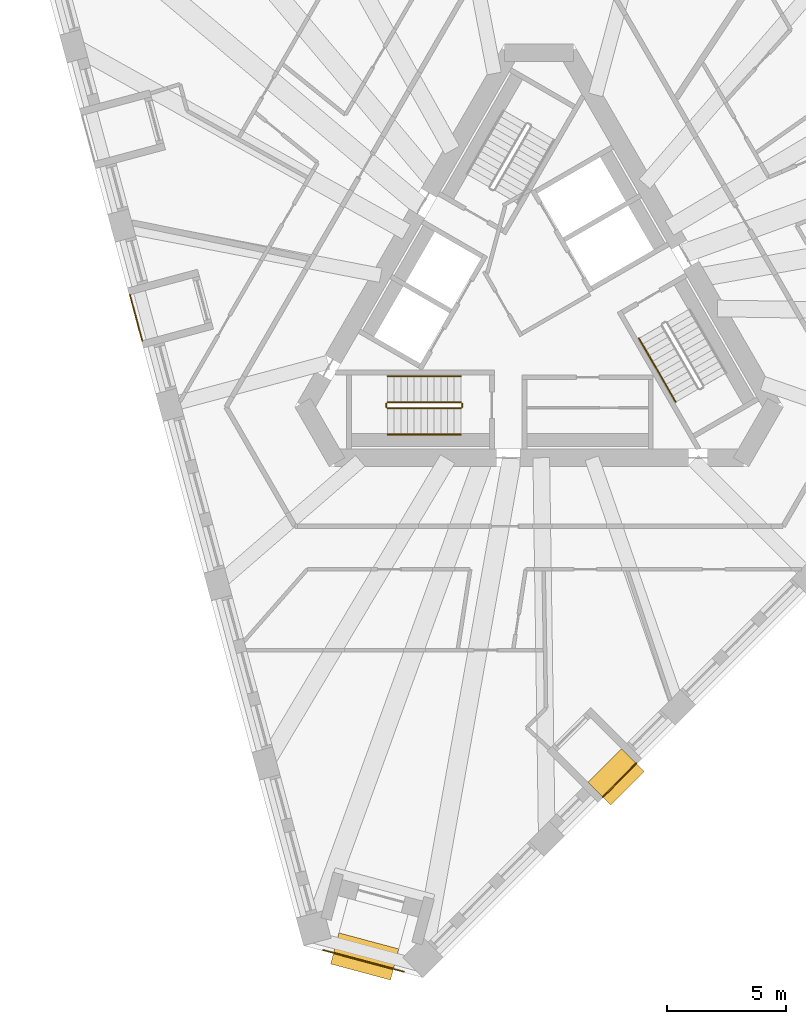
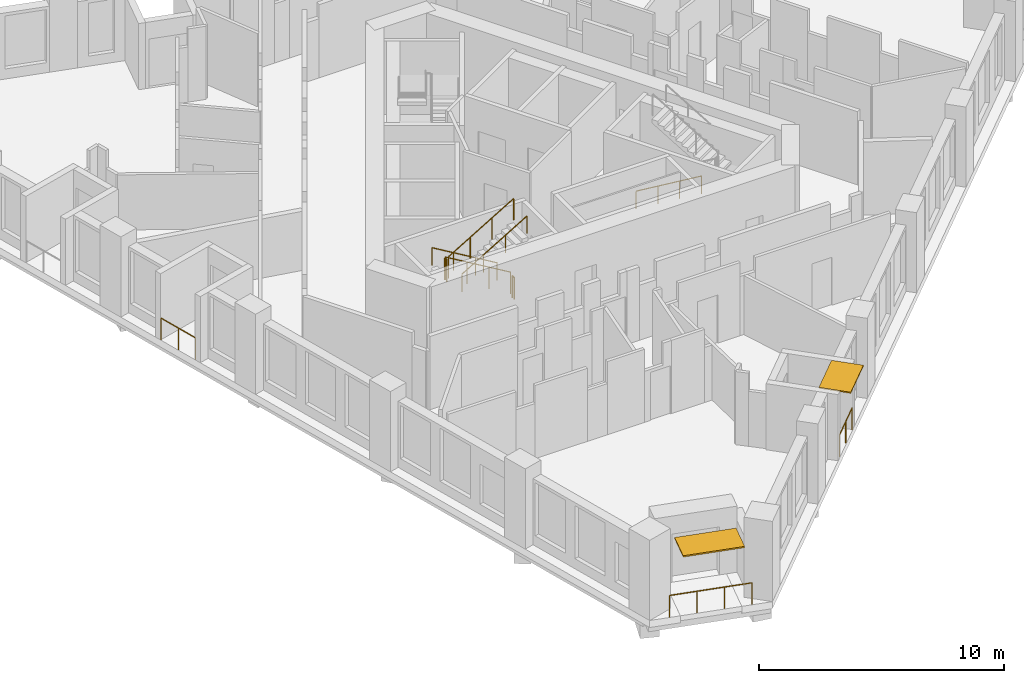
# One storey, part 10 of 13: 10 railings, 2 shading devices.
"""IFC4 building model written with IfcOpenShell, lengths in metres."""

from ifc_helpers import new_model, si_unit, direction, frame, origin, origin_2d, place, context, subcontext, project, spatial, rectangle, circle, extrude, material, layer, layer_set, type_object, element, save


model = new_model("IFC4")

# Units and contexts
model_context = context("Model", 3, precision=1e-05, world=origin(), true_north=direction((0.0, 1.0)))
body_context = subcontext(model_context, "Body", "Model", "MODEL_VIEW")
ifc_project = project(units=[si_unit("LENGTHUNIT", "METRE"), si_unit("AREAUNIT", "SQUARE_METRE"), si_unit("VOLUMEUNIT", "CUBIC_METRE"), si_unit("PLANEANGLEUNIT", "RADIAN"), si_unit("MASSUNIT", "GRAM", prefix="KILO")], contexts=[model_context])

# Site, building, storey
site_placement = place(None, origin())
site = spatial("IfcSite", under=ifc_project, at=site_placement, CompositionType="ELEMENT")
building_placement = place(site_placement, origin())
building = spatial("IfcBuilding", under=site, at=building_placement, Name="Tramontana Tower", CompositionType="ELEMENT")
storey_placement = place(building_placement, frame((0.0, 0.0, 228.0)))
storey = spatial("IfcBuildingStorey", under=building, at=storey_placement, Name="L53", CompositionType="ELEMENT", Elevation=228.0)

# Railings
ifc_material_1 = material(Name="Laminated glass balustrade", Category="glass")
railing_type_1 = type_object("IfcRailingType", Name="GD1 Loggia glass balustrade 1100", PredefinedType="BALUSTRADE", material=ifc_material_1)
railing_1_placement = place(storey_placement, frame((-17.176025390625, 0.466552734375, 0.0)))
element("IfcRailing", 1, at=railing_1_placement, inside=storey, type_object=railing_type_1, Name="Loggia balustrade L53 G5S0.7", PredefinedType="BALUSTRADE", context=body_context, shape_type="SweptSolid", body=[
    extrude(circle(Radius=0.02392578125, at=origin_2d()), frame((0.0, 0.0, 1.076171875), z_axis=(0.258803270362, -0.96593005298, 0.0), x_axis=(0.96593005298, 0.258803270362, 0.0)), (0.0, 0.0, 1.0), 1.998046875),
    extrude(circle(Radius=0.02099609375, at=origin_2d()), origin(), (0.0, 0.0, 1.0), 1.052001953125),
    extrude(circle(Radius=0.02099609375, at=origin_2d()), frame((0.258544921875, -0.96484375, 0.0)), (0.0, 0.0, 1.0), 1.052001953125),
    extrude(circle(Radius=0.02099609375, at=origin_2d()), frame((0.51708984375, -1.929931640625, 0.0)), (0.0, 0.0, 1.0), 1.052001953125),
])
railing_2_placement = place(storey_placement, frame((2.672607421875, -20.619384765625, 0.0)))
element("IfcRailing", 2, at=railing_2_placement, inside=storey, type_object=railing_type_1, Name="Loggia balustrade L53 G5S1.4", PredefinedType="BALUSTRADE", context=body_context, shape_type="SweptSolid", body=[
    extrude(circle(Radius=0.02392578125, at=origin_2d()), frame((0.0, 0.0, 1.076171875), z_axis=(0.707106781187, 0.707106781187, 0.0), x_axis=(-0.707106781187, 0.707106781187, 0.0)), (0.0, 0.0, 1.0), 1.998046875),
    extrude(circle(Radius=0.02099609375, at=origin_2d()), origin(), (0.0, 0.0, 1.0), 1.052001953125),
    extrude(circle(Radius=0.02099609375, at=origin_2d()), frame((0.70654296875, 0.70654296875, 0.0)), (0.0, 0.0, 1.0), 1.052001953125),
    extrude(circle(Radius=0.02099609375, at=origin_2d()), frame((1.412841796875, 1.412841796875, 0.0)), (0.0, 0.0, 1.0), 1.052001953125),
])
railing_3_placement = place(storey_placement, frame((-5.67822265625, -27.952880859375, 0.0)))
element("IfcRailing", 3, at=railing_3_placement, inside=storey, type_object=railing_type_1, Name="Corner loggia balustrade L53 K51", PredefinedType="BALUSTRADE", context=body_context, shape_type="SweptSolid", body=[
    extrude(circle(Radius=0.02392578125, at=origin_2d()), frame((0.0, 0.0, 1.076171875), z_axis=(-0.965913486506, 0.258865093408, 0.0), x_axis=(-0.258865093408, -0.965913486506, 0.0)), (0.0, 0.0, 1.0), 3.5),
    extrude(circle(Radius=0.02099609375, at=origin_2d()), origin(), (0.0, 0.0, 1.0), 1.052001953125),
    extrude(circle(Radius=0.02099609375, at=origin_2d()), frame((-1.126953125, 0.302001953125, 0.0)), (0.0, 0.0, 1.0), 1.052001953125),
    extrude(circle(Radius=0.02099609375, at=origin_2d()), frame((-2.253662109375, 0.60400390625, 0.0)), (0.0, 0.0, 1.0), 1.052001953125),
    extrude(circle(Radius=0.02099609375, at=origin_2d()), frame((-3.380615234375, 0.906005859375, 0.0)), (0.0, 0.0, 1.0), 1.052001953125),
])

# Shading devices
ifc_material_2 = material(Name="Precast concrete 60 MPa", Category="concrete")
ifc_layer_1 = layer(ifc_material_2, 0.06005859375)
ifc_layer_set_1 = layer_set([ifc_layer_1], Name="SS1 Stone sunshade blade 60")
shading_device_type_1 = type_object("IfcShadingDeviceType", Name="SS1 Stone sunshade blade 60", PredefinedType="USERDEFINED", material=ifc_layer_set_1)
shading_device_1_placement = place(storey_placement, frame((3.2412109375, -19.775146484375, 3.239990234375), z_axis=(0.0, 0.0, 1.0), x_axis=(0.707106781187, 0.707106781187, 0.0)))
element("IfcShadingDevice", 4, at=shading_device_1_placement, inside=storey, type_object=shading_device_type_1, Name="Sunshade L53 G5S1.4", ObjectType="SUNSHADE", PredefinedType="USERDEFINED", context=body_context, shape_type="SweptSolid", body=[
    extrude(rectangle(XDim=1.998046875, YDim=1.35009765625, at=origin_2d()), origin(), (0.0, 0.0, 1.0), 0.06005859375),
])
ifc_material_3 = material(Name="Precast concrete 60 MPa", Category="concrete")
ifc_layer_2 = layer(ifc_material_3, 0.070068359375)
ifc_layer_set_2 = layer_set([ifc_layer_2], Name="SS2 Stone sunshade blade 70")
shading_device_type_2 = type_object("IfcShadingDeviceType", Name="SS2 Stone sunshade blade 70", PredefinedType="USERDEFINED", material=ifc_layer_set_2)
shading_device_2_placement = place(storey_placement, frame((-7.318115234375, -27.3115234375, 3.22998046875), z_axis=(0.0, 0.0, 1.0), x_axis=(-0.965925826289, 0.258819045103, 0.0)))
element("IfcShadingDevice", 5, at=shading_device_2_placement, inside=storey, type_object=shading_device_type_2, Name="Corner sunshade L53 K51", ObjectType="SUNSHADE", PredefinedType="USERDEFINED", context=body_context, shape_type="SweptSolid", body=[
    extrude(rectangle(XDim=2.60009765625, YDim=1.35009765625, at=origin_2d()), origin(), (0.0, 0.0, 1.0), 0.070068359375),
])

# Railings
ifc_material_4 = material(Name="Painted steel", Category="steel")
railing_type_2 = type_object("IfcRailingType", Name="STAIR GUARD 1100", PredefinedType="GUARDRAIL", material=ifc_material_4)
railing_4_placement = place(storey_placement, frame((-3.280029296875, -4.050048828125, 0.166748046875)))
element("IfcRailing", 6, at=railing_4_placement, inside=storey, type_object=railing_type_2, Name="L53 ST2 stair guard 1", PredefinedType="GUARDRAIL", context=body_context, shape_type="SweptSolid", body=[
    extrude(circle(Radius=0.02392578125, at=origin_2d()), frame((0.0, 0.0, 1.076171875), z_axis=(-0.859308565015, 0.0, 0.511457515432), x_axis=(0.0, -1.0, 0.0)), (0.0, 0.0, 1.0), 3.58447265625),
    extrude(circle(Radius=0.02099609375, at=origin_2d()), origin(), (0.0, 0.0, 1.0), 1.052001953125),
    extrude(circle(Radius=0.02099609375, at=origin_2d()), frame((-1.026611328125, 0.0, 0.611083984375)), (0.0, 0.0, 1.0), 1.052001953125),
    extrude(circle(Radius=0.02099609375, at=origin_2d()), frame((-2.053466796875, 0.0, 1.22216796875)), (0.0, 0.0, 1.0), 1.052001953125),
    extrude(circle(Radius=0.02099609375, at=origin_2d()), frame((-3.080078125, 0.0, 1.833251953125)), (0.0, 0.0, 1.0), 1.052001953125),
])
railing_5_placement = place(storey_placement, frame((-6.360107421875, -4.300048828125, 2.166748046875)))
element("IfcRailing", 7, at=railing_5_placement, inside=storey, type_object=railing_type_2, Name="L53 ST2 stair guard 2", PredefinedType="GUARDRAIL", context=body_context, shape_type="SweptSolid", body=[
    extrude(circle(Radius=0.02392578125, at=origin_2d()), frame((0.0, 0.0, 1.076171875), z_axis=(0.859308565015, 0.0, 0.511457515432), x_axis=(0.0, 1.0, 0.0)), (0.0, 0.0, 1.0), 3.58447265625),
    extrude(circle(Radius=0.02099609375, at=origin_2d()), origin(), (0.0, 0.0, 1.0), 1.052001953125),
    extrude(circle(Radius=0.02099609375, at=origin_2d()), frame((1.026611328125, 0.0, 0.611083984375)), (0.0, 0.0, 1.0), 1.052001953125),
    extrude(circle(Radius=0.02099609375, at=origin_2d()), frame((2.053466796875, 0.0, 1.22216796875)), (0.0, 0.0, 1.0), 1.052001953125),
    extrude(circle(Radius=0.02099609375, at=origin_2d()), frame((3.080078125, 0.0, 1.833251953125)), (0.0, 0.0, 1.0), 1.052001953125),
])
for number, where, name in (
    (8, (-6.409912109375, -4.10009765625, 2.0), "L53 ST2 stair guard 3"),
    (9, (-3.22998046875, -4.10009765625, 0.0), "L53 ST2 stair guard 4"),
):
    element("IfcRailing", number, at=place(storey_placement, frame(where)), inside=storey, type_object=railing_type_2, Name=name, PredefinedType="GUARDRAIL", context=body_context, shape_type="SweptSolid", body=[
        extrude(circle(Radius=0.02392578125, at=origin_2d()), frame((0.0, 0.0, 1.076171875), z_axis=(0.0, -1.0, 0.0), x_axis=(1.0, 0.0, 0.0)), (0.0, 0.0, 1.0), 0.14990234375),
        extrude(circle(Radius=0.02099609375, at=origin_2d()), origin(), (0.0, 0.0, 1.0), 1.052001953125),
        extrude(circle(Radius=0.02099609375, at=origin_2d()), frame((0.0, -0.14990234375, 0.0)), (0.0, 0.0, 1.0), 1.052001953125),
    ])
ifc_material_5 = material(Name="Painted steel", Category="steel")
railing_type_3 = type_object("IfcRailingType", Name="STAIR HANDRAIL 900", PredefinedType="HANDRAIL", material=ifc_material_5)
railing_6_placement = place(storey_placement, frame((-3.280029296875, -2.949951171875, 0.166748046875)))
element("IfcRailing", 10, at=railing_6_placement, inside=storey, type_object=railing_type_3, Name="L53 ST2 stair handrail 1", PredefinedType="HANDRAIL", context=body_context, shape_type="SweptSolid", body=[
    extrude(circle(Radius=0.02392578125, at=origin_2d()), frame((0.0, 0.0, 0.8759765625), z_axis=(-0.859308565015, 0.0, 0.511457515432), x_axis=(0.0, -1.0, 0.0)), (0.0, 0.0, 1.0), 3.58447265625),
    extrude(circle(Radius=0.02099609375, at=origin_2d()), origin(), (0.0, 0.0, 1.0), 0.851806640625),
    extrude(circle(Radius=0.02099609375, at=origin_2d()), frame((-1.026611328125, 0.0, 0.611083984375)), (0.0, 0.0, 1.0), 0.851806640625),
    extrude(circle(Radius=0.02099609375, at=origin_2d()), frame((-2.053466796875, 0.0, 1.22216796875)), (0.0, 0.0, 1.0), 0.851806640625),
    extrude(circle(Radius=0.02099609375, at=origin_2d()), frame((-3.080078125, 0.0, 1.833251953125)), (0.0, 0.0, 1.0), 0.851806640625),
])
railing_7_placement = place(storey_placement, frame((-6.360107421875, -5.39990234375, 2.166748046875)))
element("IfcRailing", 11, at=railing_7_placement, inside=storey, type_object=railing_type_3, Name="L53 ST2 stair handrail 2", PredefinedType="HANDRAIL", context=body_context, shape_type="SweptSolid", body=[
    extrude(circle(Radius=0.02392578125, at=origin_2d()), frame((0.0, 0.0, 0.8759765625), z_axis=(0.859308565015, 0.0, 0.511457515432), x_axis=(0.0, 1.0, 0.0)), (0.0, 0.0, 1.0), 3.58447265625),
    extrude(circle(Radius=0.02099609375, at=origin_2d()), origin(), (0.0, 0.0, 1.0), 0.851806640625),
    extrude(circle(Radius=0.02099609375, at=origin_2d()), frame((1.026611328125, 0.0, 0.611083984375)), (0.0, 0.0, 1.0), 0.851806640625),
    extrude(circle(Radius=0.02099609375, at=origin_2d()), frame((2.053466796875, 0.0, 1.22216796875)), (0.0, 0.0, 1.0), 0.851806640625),
    extrude(circle(Radius=0.02099609375, at=origin_2d()), frame((3.080078125, 0.0, 1.833251953125)), (0.0, 0.0, 1.0), 0.851806640625),
])
railing_8_placement = place(storey_placement, frame((4.19482421875, -1.365478515625, 0.166748046875)))
element("IfcRailing", 12, at=railing_8_placement, inside=storey, type_object=railing_type_3, Name="L53 ST3 stair handrail 1", PredefinedType="HANDRAIL", context=body_context, shape_type="SweptSolid", body=[
    extrude(circle(Radius=0.02392578125, at=origin_2d()), frame((0.0, 0.0, 0.8759765625), z_axis=(0.429649414936, -0.744189839504, 0.511451721109), x_axis=(0.866029832698, 0.499992328818, 0.0)), (0.0, 0.0, 1.0), 3.58447265625),
    extrude(circle(Radius=0.02099609375, at=origin_2d()), origin(), (0.0, 0.0, 1.0), 0.851806640625),
    extrude(circle(Radius=0.02099609375, at=origin_2d()), frame((0.513427734375, -0.88916015625, 0.611083984375)), (0.0, 0.0, 1.0), 0.851806640625),
    extrude(circle(Radius=0.02099609375, at=origin_2d()), frame((1.026611328125, -1.7783203125, 1.22216796875)), (0.0, 0.0, 1.0), 0.851806640625),
    extrude(circle(Radius=0.02099609375, at=origin_2d()), frame((1.5400390625, -2.66748046875, 1.833251953125)), (0.0, 0.0, 1.0), 0.851806640625),
])

save(model, "model.ifc")
